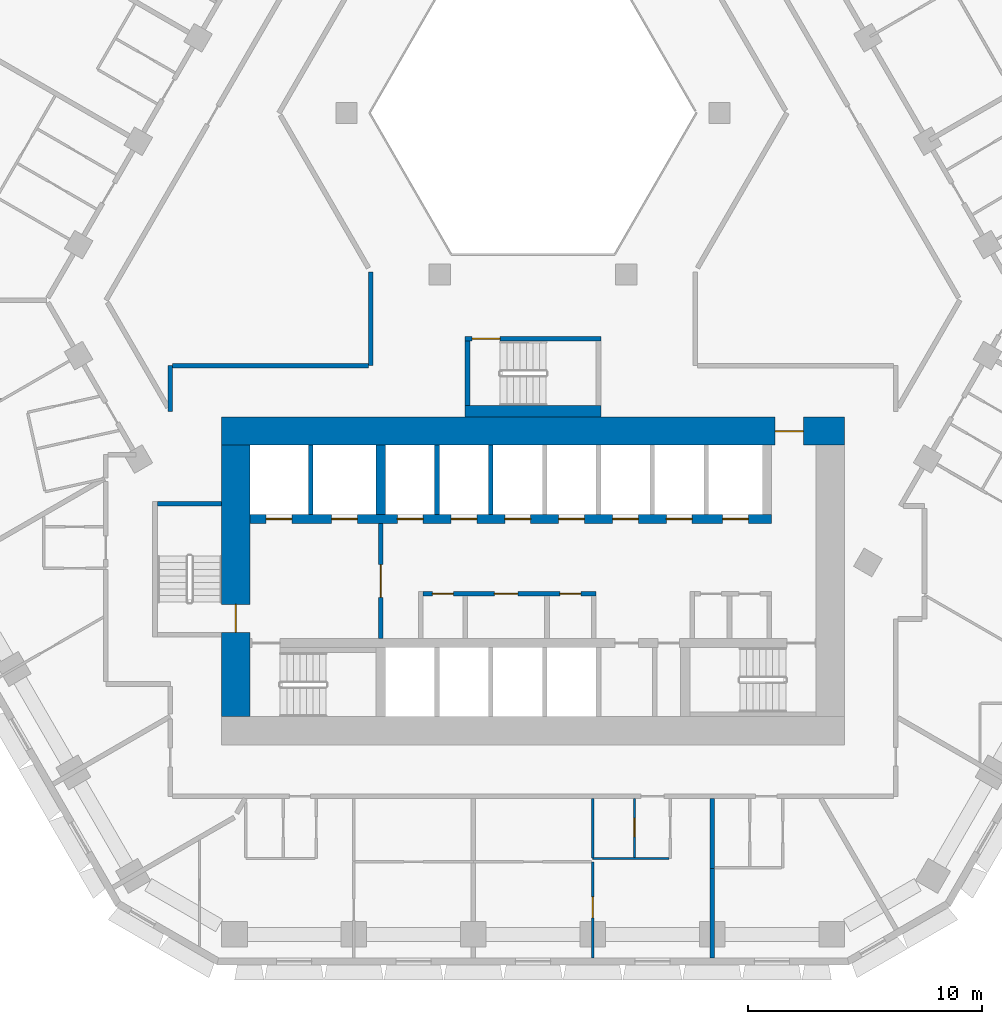
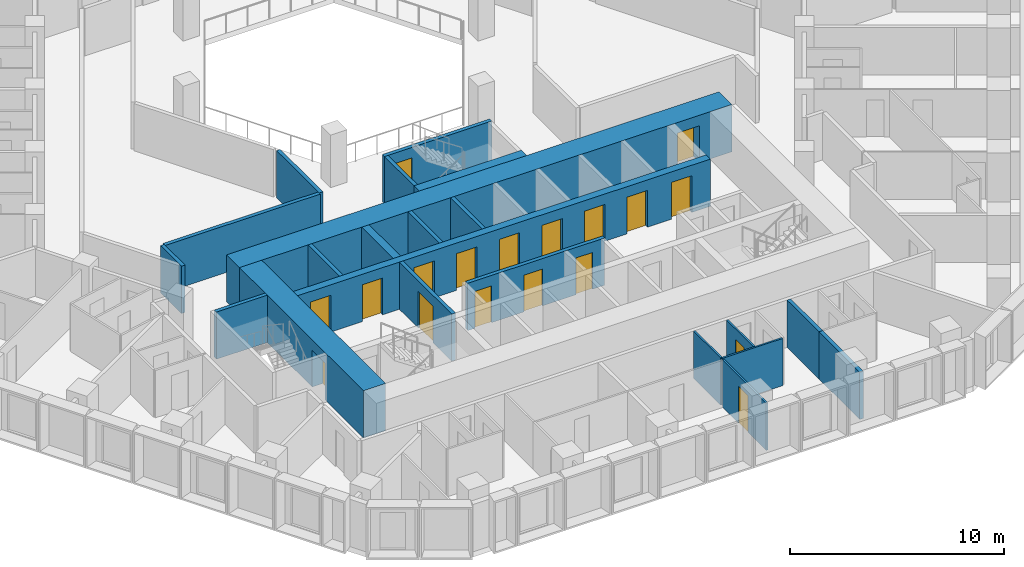
# One storey, part 5 of 16: 22 walls, 18 doors, 18 openings.
"""IFC4 building model written with IfcOpenShell, lengths in metres."""

from ifc_helpers import new_model, si_unit, direction, frame, frame_2d, origin, place, context, subcontext, project, spatial, rectangle, extrude, material, layer, layer_set, type_object, element, fill, save


model = new_model("IFC4")

# Units and contexts
model_context = context("Model", 3, precision=1e-05, world=origin(), true_north=direction((0.0, 1.0)))
body_context = subcontext(model_context, "Body", "Model", "MODEL_VIEW")
ifc_project = project(units=[si_unit("LENGTHUNIT", "METRE"), si_unit("AREAUNIT", "SQUARE_METRE"), si_unit("VOLUMEUNIT", "CUBIC_METRE"), si_unit("PLANEANGLEUNIT", "RADIAN"), si_unit("MASSUNIT", "GRAM", prefix="KILO")], contexts=[model_context])

# Site, building, storey
site_placement = place(None, origin())
site = spatial("IfcSite", under=ifc_project, at=site_placement, CompositionType="ELEMENT")
building_placement = place(site_placement, origin())
building = spatial("IfcBuilding", under=site, at=building_placement, Name="Beryl Residences", CompositionType="ELEMENT")
storey_placement = place(building_placement, frame((0.0, 0.0, 56.39990234375)))
storey = spatial("IfcBuildingStorey", under=building, at=storey_placement, Name="L17", CompositionType="ELEMENT", Elevation=56.39990234375)

# Walls
ifc_material_1 = material(Name="Gypsum board partition on steel studs", Category="steel")
ifc_layer_1 = layer(ifc_material_1, 0.10009765625)
ifc_layer_set_1 = layer_set([ifc_layer_1], Name="PT1 partition 100 mm gypsum board on steel studs")
wall_type_1 = type_object("IfcWallType", Name="PT1 partition 100 mm gypsum board on steel studs", PredefinedType="PARTITIONING", material=ifc_layer_set_1)
wall_1_placement = place(storey_placement, frame((2.552978515625, -21.300048828125, 0.0), z_axis=(0.0, 0.0, 1.0), x_axis=(0.0, -1.0, 0.0)))
element("IfcWall", 1, at=wall_1_placement, inside=storey, type_object=wall_type_1, Name="Wall PT1 L17 010", PredefinedType="PARTITIONING", context=body_context, shape_type="SweptSolid", body=[
    extrude(rectangle(XDim=2.530029296875, YDim=0.10009765625, at=frame_2d((1.26513671875, 0.0))), origin(), (0.0, 0.0, 1.0), 2.7001953125),
])
wall_2_placement = place(storey_placement, frame((2.552978515625, -23.860107421875, 0.0), z_axis=(0.0, 0.0, 1.0), x_axis=(1.0, 0.0, 0.0)))
element("IfcWall", 2, at=wall_2_placement, inside=storey, type_object=wall_type_1, Name="Wall PT1 L17 029", PredefinedType="PARTITIONING", context=body_context, shape_type="SweptSolid", body=[
    extrude(rectangle(XDim=3.26708984375, YDim=0.10009765625, at=frame_2d((1.633544921875, 0.0))), origin(), (0.0, 0.0, 1.0), 2.7001953125),
])

# Wall, opening, door
wall_3_placement = place(storey_placement, frame((4.339111328125, -23.81005859375, 0.0), z_axis=(0.0, 0.0, 1.0), x_axis=(0.0, 1.0, 0.0)))
wall_3 = element("IfcWall", 3, at=wall_3_placement, inside=storey, type_object=wall_type_1, Name="Wall PT1 L17 041", PredefinedType="PARTITIONING", context=body_context, shape_type="SweptSolid", body=[
    extrude(rectangle(XDim=2.510009765625, YDim=0.10009765625, at=frame_2d((1.2548828125, 0.0))), origin(), (0.0, 0.0, 1.0), 2.7001953125),
])
opening_1_placement = place(wall_3_placement, frame((0.8798828125, 0.0, 0.0)))
opening_1 = element("IfcOpeningElement", 4, at=opening_1_placement, cuts=wall_3, Name="Opening D0529", PredefinedType="OPENING", context=body_context, shape_type="SweptSolid", body=[
    extrude(rectangle(XDim=0.800048828125, YDim=2.10009765625, at=frame_2d((0.39990234375, 1.050048828125))), frame((0.0, 0.06005859375, 0.0), z_axis=(0.0, -1.0, 0.0), x_axis=(1.0, 0.0, 0.0)), (0.0, 0.0, 1.0), 0.1201171875),
])
ifc_material_2 = material(Name="Timber door leaf", Category="wood")
door_type_1 = type_object("IfcDoorType", Name="D3 bathroom door 800 x 2100 mm", OperationType="SINGLE_SWING_LEFT", PredefinedType="DOOR", material=ifc_material_2)
door_1_placement = place(opening_1_placement, origin())
door_1 = element("IfcDoor", 5, at=door_1_placement, inside=storey, type_object=door_type_1, Name="Door D0529 L17 001", OperationType="SINGLE_SWING_LEFT", OverallHeight=2.10009765625, OverallWidth=0.800048828125, PredefinedType="DOOR", context=body_context, shape_type="SweptSolid", body=[
    extrude(rectangle(XDim=0.800048828125, YDim=2.10009765625, at=frame_2d((0.39990234375, 1.050048828125))), frame((0.0, 0.02490234375, 0.0), z_axis=(0.0, -1.0, 0.0), x_axis=(1.0, 0.0, 0.0)), (0.0, 0.0, 1.0), 0.050048828125),
])
fill(opening_1, door_1)

wall_4_placement = place(storey_placement, frame((2.552978515625, -28.10009765625, 0.0), z_axis=(0.0, 0.0, 1.0), x_axis=(0.0, 1.0, 0.0)))
wall_4 = element("IfcWall", 6, at=wall_4_placement, inside=storey, type_object=wall_type_1, Name="Wall PT1 L17 048", PredefinedType="PARTITIONING", context=body_context, shape_type="SweptSolid", body=[
    extrude(rectangle(XDim=4.10009765625, YDim=0.10009765625, at=frame_2d((2.050048828125, 0.0))), origin(), (0.0, 0.0, 1.0), 2.7001953125),
])
opening_2_placement = place(wall_4_placement, frame((1.699951171875, 0.0, 0.0)))
opening_2 = element("IfcOpeningElement", 7, at=opening_2_placement, cuts=wall_4, Name="Opening D0530", PredefinedType="OPENING", context=body_context, shape_type="SweptSolid", body=[
    extrude(rectangle(XDim=0.89990234375, YDim=2.10009765625, at=frame_2d((0.449951171875, 1.050048828125))), frame((0.0, 0.06005859375, 0.0), z_axis=(0.0, -1.0, 0.0), x_axis=(1.0, 0.0, 0.0)), (0.0, 0.0, 1.0), 0.1201171875),
])
ifc_material_3 = material(Name="Timber door leaf", Category="wood")
door_type_2 = type_object("IfcDoorType", Name="D2 room door 900 x 2100 mm", OperationType="SINGLE_SWING_LEFT", PredefinedType="DOOR", material=ifc_material_3)
door_2_placement = place(opening_2_placement, origin())
door_2 = element("IfcDoor", 8, at=door_2_placement, inside=storey, type_object=door_type_2, Name="Door D0530 L17 001", OperationType="SINGLE_SWING_RIGHT", OverallHeight=2.10009765625, OverallWidth=0.89990234375, PredefinedType="DOOR", context=body_context, shape_type="SweptSolid", body=[
    extrude(rectangle(XDim=0.89990234375, YDim=2.10009765625, at=frame_2d((0.449951171875, 1.050048828125))), frame((0.0, 0.02490234375, 0.0), z_axis=(0.0, -1.0, 0.0), x_axis=(1.0, 0.0, 0.0)), (0.0, 0.0, 1.0), 0.050048828125),
])
fill(opening_2, door_2)

ifc_material_4 = material(Name="Concrete masonry", Category="masonry")
ifc_layer_2 = layer(ifc_material_4, 0.199951171875)
ifc_layer_set_2 = layer_set([ifc_layer_2], Name="PT13 lobby wall 200 mm")
wall_type_2 = type_object("IfcWallType", Name="PT13 lobby wall 200 mm", PredefinedType="PARTITIONING", material=ifc_layer_set_2)
wall_5_placement = place(storey_placement, frame((-6.5, -14.449951171875, 0.0), z_axis=(0.0, 0.0, 1.0), x_axis=(0.0, 1.0, 0.0)))
wall_5 = element("IfcWall", 9, at=wall_5_placement, inside=storey, type_object=wall_type_2, Name="Lobby wall 06", PredefinedType="PARTITIONING", context=body_context, shape_type="SweptSolid", body=[
    extrude(rectangle(XDim=4.89990234375, YDim=0.199951171875, at=frame_2d((2.449951171875, 0.0))), origin(), (0.0, 0.0, 1.0), 2.7001953125),
])
opening_3_placement = place(wall_5_placement, frame((3.14990234375, 0.0, 0.0), z_axis=(0.0, 0.0, 1.0), x_axis=(-1.0, 0.0, 0.0)))
opening_3 = element("IfcOpeningElement", 10, at=opening_3_placement, cuts=wall_5, Name="Opening FD-FFL", PredefinedType="OPENING", context=body_context, shape_type="SweptSolid", body=[
    extrude(rectangle(XDim=1.39990234375, YDim=2.10009765625, at=frame_2d((0.699951171875, 1.050048828125))), frame((0.0, 0.10986328125, 0.0), z_axis=(0.0, -1.0, 0.0), x_axis=(1.0, 0.0, 0.0)), (0.0, 0.0, 1.0), 0.219970703125),
])
ifc_material_5 = material(Name="Steel door leaf in steel frame", Category="steel")
door_type_3 = type_object("IfcDoorType", Name="D5 lobby door 1400 x 2100 mm", OperationType="DOUBLE_DOOR_SINGLE_SWING", PredefinedType="DOOR", material=ifc_material_5)
door_3_placement = place(opening_3_placement, origin())
door_3 = element("IfcDoor", 11, at=door_3_placement, inside=storey, type_object=door_type_3, Name="Door FD-FFL L17 001", OperationType="DOUBLE_DOOR_SINGLE_SWING", OverallHeight=2.10009765625, OverallWidth=1.39990234375, PredefinedType="DOOR", context=body_context, shape_type="SweptSolid", body=[
    extrude(rectangle(XDim=1.39990234375, YDim=2.10009765625, at=frame_2d((0.699951171875, 1.050048828125))), frame((0.0, 0.02490234375, 0.0), z_axis=(0.0, -1.0, 0.0), x_axis=(1.0, 0.0, 0.0)), (0.0, 0.0, 1.0), 0.050048828125),
])
fill(opening_3, door_3)

# Wall, openings, doors
wall_6_placement = place(storey_placement, frame((-4.699951171875, -12.550048828125, 0.0), z_axis=(0.0, 0.0, 1.0), x_axis=(1.0, 0.0, 0.0)))
wall_6 = element("IfcWall", 12, at=wall_6_placement, inside=storey, type_object=wall_type_2, Name="Lobby wall 08", PredefinedType="PARTITIONING", context=body_context, shape_type="SweptSolid", body=[
    extrude(rectangle(XDim=7.39990234375, YDim=0.199951171875, at=frame_2d((3.699951171875, 0.0))), origin(), (0.0, 0.0, 1.0), 2.7001953125),
])
opening_4_placement = place(wall_6_placement, frame((1.2998046875, 0.0, 0.0), z_axis=(0.0, 0.0, 1.0), x_axis=(-1.0, 0.0, 0.0)))
opening_4 = element("IfcOpeningElement", 13, at=opening_4_placement, cuts=wall_6, Name="Opening CD-D-A1-900", PredefinedType="OPENING", context=body_context, shape_type="SweptSolid", body=[
    extrude(rectangle(XDim=0.89990234375, YDim=2.10009765625, at=frame_2d((0.449951171875, 1.050048828125))), frame((0.0, 0.10986328125, 0.0), z_axis=(0.0, -1.0, 0.0), x_axis=(1.0, 0.0, 0.0)), (0.0, 0.0, 1.0), 0.219970703125),
])
opening_5_placement = place(wall_6_placement, frame((4.050048828125, 0.0, 0.0), z_axis=(0.0, 0.0, 1.0), x_axis=(-1.0, 0.0, 0.0)))
opening_5 = element("IfcOpeningElement", 14, at=opening_5_placement, cuts=wall_6, Name="Opening CD-D-A2", PredefinedType="OPENING", context=body_context, shape_type="SweptSolid", body=[
    extrude(rectangle(XDim=1.0, YDim=2.10009765625, at=frame_2d((0.5, 1.050048828125))), frame((0.0, 0.10986328125, 0.0), z_axis=(0.0, -1.0, 0.0), x_axis=(1.0, 0.0, 0.0)), (0.0, 0.0, 1.0), 0.219970703125),
])
opening_6_placement = place(wall_6_placement, frame((6.75, 0.0, 0.0), z_axis=(0.0, 0.0, 1.0), x_axis=(-1.0, 0.0, 0.0)))
opening_6 = element("IfcOpeningElement", 15, at=opening_6_placement, cuts=wall_6, Name="Opening CD-D-A3-900", PredefinedType="OPENING", context=body_context, shape_type="SweptSolid", body=[
    extrude(rectangle(XDim=0.89990234375, YDim=2.10009765625, at=frame_2d((0.449951171875, 1.050048828125))), frame((0.0, 0.10986328125, 0.0), z_axis=(0.0, -1.0, 0.0), x_axis=(1.0, 0.0, 0.0)), (0.0, 0.0, 1.0), 0.219970703125),
])
ifc_material_6 = material(Name="Steel door leaf in steel frame", Category="steel")
door_type_4 = type_object("IfcDoorType", Name="D18 service room door 1000 x 2100 mm", OperationType="SINGLE_SWING_LEFT", PredefinedType="DOOR", material=ifc_material_6)
door_4_placement = place(opening_5_placement, origin())
door_4 = element("IfcDoor", 16, at=door_4_placement, inside=storey, type_object=door_type_4, Name="Door CD-D-A2 L17 001", OperationType="SINGLE_SWING_LEFT", OverallHeight=2.10009765625, OverallWidth=1.0, PredefinedType="DOOR", context=body_context, shape_type="SweptSolid", body=[
    extrude(rectangle(XDim=1.0, YDim=2.10009765625, at=frame_2d((0.5, 1.050048828125))), frame((0.0, 0.02490234375, 0.0), z_axis=(0.0, -1.0, 0.0), x_axis=(1.0, 0.0, 0.0)), (0.0, 0.0, 1.0), 0.050048828125),
])
fill(opening_5, door_4)
ifc_material_7 = material(Name="Steel door leaf in steel frame", Category="steel")
door_type_5 = type_object("IfcDoorType", Name="D6 service room door 900 x 2100 mm", OperationType="SINGLE_SWING_LEFT", PredefinedType="DOOR", material=ifc_material_7)
door_5_placement = place(opening_4_placement, origin())
door_5 = element("IfcDoor", 17, at=door_5_placement, inside=storey, type_object=door_type_5, Name="Door CD-D-A1-900 L17 001", OperationType="SINGLE_SWING_RIGHT", OverallHeight=2.10009765625, OverallWidth=0.89990234375, PredefinedType="DOOR", context=body_context, shape_type="SweptSolid", body=[
    extrude(rectangle(XDim=0.89990234375, YDim=2.10009765625, at=frame_2d((0.449951171875, 1.050048828125))), frame((0.0, 0.02490234375, 0.0), z_axis=(0.0, -1.0, 0.0), x_axis=(1.0, 0.0, 0.0)), (0.0, 0.0, 1.0), 0.050048828125),
])
fill(opening_4, door_5)
door_6_placement = place(opening_6_placement, origin())
door_6 = element("IfcDoor", 18, at=door_6_placement, inside=storey, type_object=door_type_5, Name="Door CD-D-A3-900 L17 001", OperationType="SINGLE_SWING_RIGHT", OverallHeight=2.10009765625, OverallWidth=0.89990234375, PredefinedType="DOOR", context=body_context, shape_type="SweptSolid", body=[
    extrude(rectangle(XDim=0.89990234375, YDim=2.10009765625, at=frame_2d((0.449951171875, 1.050048828125))), frame((0.0, 0.02490234375, 0.0), z_axis=(0.0, -1.0, 0.0), x_axis=(1.0, 0.0, 0.0)), (0.0, 0.0, 1.0), 0.050048828125),
])
fill(opening_6, door_6)

# Walls
ifc_material_8 = material(Name="Acoustic double stud gypsum board wall")
ifc_layer_3 = layer(ifc_material_8, 0.199951171875)
ifc_layer_set_3 = layer_set([ifc_layer_3], Name="PT3 party wall 200 mm acoustic double stud")
wall_type_3 = type_object("IfcWallType", Name="PT3 party wall 200 mm acoustic double stud", PredefinedType="PARTITIONING", material=ifc_layer_set_3)
wall_7_placement = place(storey_placement, frame((7.656982421875, -21.300048828125, 0.0), z_axis=(0.0, 0.0, 1.0), x_axis=(0.0, -1.0, 0.0)))
element("IfcWall", 19, at=wall_7_placement, inside=storey, type_object=wall_type_3, Name="Wall PT3 L17 003", PredefinedType="PARTITIONING", context=body_context, shape_type="SweptSolid", body=[
    extrude(rectangle(XDim=2.97998046875, YDim=0.199951171875, at=frame_2d((1.489990234375, 0.0))), origin(), (0.0, 0.0, 1.0), 2.7001953125),
])
wall_8_placement = place(storey_placement, frame((7.656982421875, -28.10009765625, 0.0), z_axis=(0.0, 0.0, 1.0), x_axis=(0.0, 1.0, 0.0)))
element("IfcWall", 20, at=wall_8_placement, inside=storey, type_object=wall_type_3, Name="Wall PT3 L17 013", PredefinedType="PARTITIONING", context=body_context, shape_type="SweptSolid", body=[
    extrude(rectangle(XDim=3.860107421875, YDim=0.199951171875, at=frame_2d((1.93017578125, 0.0))), origin(), (0.0, 0.0, 1.0), 2.7001953125),
])
ifc_material_9 = material(Name="Double stud gypsum board wall")
ifc_layer_4 = layer(ifc_material_9, 0.199951171875)
ifc_layer_set_4 = layer_set([ifc_layer_4], Name="PT4 corridor wall 200 mm double stud")
wall_type_4 = type_object("IfcWallType", Name="PT4 corridor wall 200 mm double stud", PredefinedType="PARTITIONING", material=ifc_layer_set_4)
wall_9_placement = place(storey_placement, frame((-15.39990234375, -2.800048828125, 0.0), z_axis=(0.0, 0.0, 1.0), x_axis=(1.0, 0.0, 0.0)))
element("IfcWall", 21, at=wall_9_placement, inside=storey, type_object=wall_type_4, Name="Wall PT4 L17 015", PredefinedType="PARTITIONING", context=body_context, shape_type="SweptSolid", body=[
    extrude(rectangle(XDim=8.371826171875, YDim=0.199951171875, at=frame_2d((4.18603515625, 0.0))), origin(), (0.0, 0.0, 1.0), 2.7001953125),
])
wall_10_placement = place(storey_placement, frame((-6.927978515625, -2.800048828125, 0.0), z_axis=(0.0, 0.0, 1.0), x_axis=(0.0, 1.0, 0.0)))
element("IfcWall", 22, at=wall_10_placement, inside=storey, type_object=wall_type_4, Name="Wall PT4 L17 030", PredefinedType="PARTITIONING", context=body_context, shape_type="SweptSolid", body=[
    extrude(rectangle(XDim=4.0, YDim=0.199951171875, at=frame_2d((2.0, 0.0))), origin(), (0.0, 0.0, 1.0), 2.7001953125),
])
wall_11_placement = place(storey_placement, frame((-15.5, -4.75390625, 0.0), z_axis=(0.0, 0.0, 1.0), x_axis=(0.0, 1.0, 0.0)))
element("IfcWall", 23, at=wall_11_placement, inside=storey, type_object=wall_type_4, Name="Wall PT4 L17 032", PredefinedType="PARTITIONING", context=body_context, shape_type="SweptSolid", body=[
    extrude(rectangle(XDim=1.953857421875, YDim=0.199951171875, at=frame_2d((0.97705078125, 0.0))), origin(), (0.0, 0.0, 1.0), 2.7001953125),
])

# Wall, opening, door
ifc_material_10 = material(Name="Concrete C40/50", Category="concrete")
ifc_layer_5 = layer(ifc_material_10, 0.199951171875)
ifc_layer_set_5 = layer_set([ifc_layer_5], Name="PT5 stair enclosure wall 200 mm reinforced concrete C40/50")
wall_type_5 = type_object("IfcWallType", Name="PT5 stair enclosure wall 200 mm reinforced concrete C40/50", PredefinedType="SOLIDWALL", material=ifc_layer_set_5)
wall_12_placement = place(storey_placement, frame((-2.89990234375, -1.64990234375, 0.0), z_axis=(0.0, 0.0, 1.0), x_axis=(1.0, 0.0, 0.0)))
wall_12 = element("IfcWall", 24, at=wall_12_placement, inside=storey, type_object=wall_type_5, Name="Wall PT5 L17 001", PredefinedType="SOLIDWALL", context=body_context, shape_type="SweptSolid", body=[
    extrude(rectangle(XDim=5.7998046875, YDim=0.199951171875, at=frame_2d((2.89990234375, 0.0))), origin(), (0.0, 0.0, 1.0), 2.7001953125),
])
opening_7_placement = place(wall_12_placement, frame((0.300048828125, 0.0, 0.0)))
opening_7 = element("IfcOpeningElement", 25, at=opening_7_placement, cuts=wall_12, Name="Opening DS04", PredefinedType="OPENING", context=body_context, shape_type="SweptSolid", body=[
    extrude(rectangle(XDim=1.199951171875, YDim=2.10009765625, at=frame_2d((0.60009765625, 1.050048828125))), frame((0.0, 0.10986328125, 0.0), z_axis=(0.0, -1.0, 0.0), x_axis=(1.0, 0.0, 0.0)), (0.0, 0.0, 1.0), 0.219970703125),
])
ifc_material_11 = material(Name="Steel door leaf in steel frame", Category="steel")
door_type_6 = type_object("IfcDoorType", Name="D4 stair door 1200 x 2100 mm", OperationType="SINGLE_SWING_LEFT", PredefinedType="DOOR", material=ifc_material_11)
door_7_placement = place(opening_7_placement, origin())
door_7 = element("IfcDoor", 26, at=door_7_placement, inside=storey, type_object=door_type_6, Name="Door DS04 L17 001", OperationType="SINGLE_SWING_LEFT", OverallHeight=2.10009765625, OverallWidth=1.199951171875, PredefinedType="DOOR", context=body_context, shape_type="SweptSolid", body=[
    extrude(rectangle(XDim=1.199951171875, YDim=2.10009765625, at=frame_2d((0.60009765625, 1.050048828125))), frame((0.0, 0.02490234375, 0.0), z_axis=(0.0, -1.0, 0.0), x_axis=(1.0, 0.0, 0.0)), (0.0, 0.0, 1.0), 0.050048828125),
])
fill(opening_7, door_7)

# Walls
for number, where, z_axis, x_axis, name in (
    (27, (-2.800048828125, -4.5, 0.0), (0.0, 0.0, 1.0), (0.0, 1.0, 0.0), "Wall PT5 L17 002"),
    (28, (-16.050048828125, -8.699951171875, 0.0), (0.0, 0.0, 1.0), (1.0, 0.0, 0.0), "Stair wall 03"),
):
    element("IfcWall", number, at=place(storey_placement, frame(where, z_axis=z_axis, x_axis=x_axis)), inside=storey, type_object=wall_type_5, Name=name, PredefinedType="SOLIDWALL", context=body_context, shape_type="SweptSolid", body=[
        extrude(rectangle(XDim=2.75, YDim=0.199951171875, at=frame_2d((1.375, 0.0))), origin(), (0.0, 0.0, 1.0), 2.7001953125),
    ])
ifc_material_12 = material(Name="Concrete C40/50", Category="concrete")
ifc_layer_6 = layer(ifc_material_12, 0.5)
ifc_layer_set_6 = layer_set([ifc_layer_6], Name="PT5-500 stair enclosure wall 500 mm")
wall_type_6 = type_object("IfcWallType", Name="PT5-500 stair enclosure wall 500 mm", PredefinedType="SOLIDWALL", material=ifc_layer_set_6)
wall_13_placement = place(storey_placement, frame((-2.89990234375, -4.75, 0.0), z_axis=(0.0, 0.0, 1.0), x_axis=(1.0, 0.0, 0.0)))
element("IfcWall", 29, at=wall_13_placement, inside=storey, type_object=wall_type_6, Name="Wall PT5-500 L17 001", PredefinedType="SOLIDWALL", context=body_context, shape_type="SweptSolid", body=[
    extrude(rectangle(XDim=5.7998046875, YDim=0.5, at=frame_2d((2.89990234375, 0.0))), origin(), (0.0, 0.0, 1.0), 2.7001953125),
])
ifc_material_13 = material(Name="Concrete C40/50", Category="concrete")
ifc_layer_7 = layer(ifc_material_13, 0.199951171875)
ifc_layer_set_7 = layer_set([ifc_layer_7], Name="PT6 lift shaft wall 200 mm reinforced concrete C40/50")
wall_type_7 = type_object("IfcWallType", Name="PT6 lift shaft wall 200 mm reinforced concrete C40/50", PredefinedType="SOLIDWALL", material=ifc_layer_set_7)
for number, where, z_axis, x_axis, name in (
    (30, (-9.5, -9.14990234375, 0.0), (0.0, 0.0, 1.0), (0.0, 1.0, 0.0), "Lift shaft wall 05"),
    (31, (-4.10009765625, -9.14990234375, 0.0), (0.0, 0.0, 1.0), (0.0, 1.0, 0.0), "Lift shaft wall 10"),
    (32, (-1.800048828125, -9.14990234375, 0.0), (0.0, 0.0, 1.0), (0.0, 1.0, 0.0), "Lift shaft wall 13"),
):
    element("IfcWall", number, at=place(storey_placement, frame(where, z_axis=z_axis, x_axis=x_axis)), inside=storey, type_object=wall_type_7, Name=name, PredefinedType="SOLIDWALL", context=body_context, shape_type="SweptSolid", body=[
        extrude(rectangle(XDim=2.949951171875, YDim=0.199951171875, at=frame_2d((1.47509765625, 0.0))), origin(), (0.0, 0.0, 1.0), 2.7001953125),
    ])

# Wall, opening, door
ifc_material_14 = material(Name="Concrete C80/95", Category="concrete")
ifc_layer_8 = layer(ifc_material_14, 1.199951171875)
ifc_layer_set_8 = layer_set([ifc_layer_8], Name="SW1 core outer wall 1200 mm C80/95")
wall_type_8 = type_object("IfcWallType", Name="SW1 core outer wall 1200 mm C80/95", PredefinedType="SHEAR", material=ifc_layer_set_8)
wall_14_placement = place(storey_placement, frame((-13.300048828125, -5.60009765625, 0.0), z_axis=(0.0, 0.0, 1.0), x_axis=(1.0, 0.0, 0.0)))
wall_14 = element("IfcWall", 33, at=wall_14_placement, inside=storey, type_object=wall_type_8, Name="Core wall N L17", PredefinedType="SHEAR", context=body_context, shape_type="SweptSolid", body=[
    extrude(rectangle(XDim=26.60009765625, YDim=1.199951171875, at=frame_2d((13.300048828125, 0.0))), origin(), (0.0, 0.0, 1.0), 2.7001953125),
])
opening_8_placement = place(wall_14_placement, frame((23.64990234375, 0.0, 0.0)))
opening_8 = element("IfcOpeningElement", 34, at=opening_8_placement, cuts=wall_14, Name="Opening FD-NORTH", PredefinedType="OPENING", context=body_context, shape_type="SweptSolid", body=[
    extrude(rectangle(XDim=1.199951171875, YDim=2.10009765625, at=frame_2d((0.60009765625, 1.050048828125))), frame((0.0, 0.60986328125, 0.0), z_axis=(0.0, -1.0, 0.0), x_axis=(1.0, 0.0, 0.0)), (0.0, 0.0, 1.0), 1.219970703125),
])
ifc_material_15 = material(Name="Steel door leaf in steel frame", Category="steel")
door_type_7 = type_object("IfcDoorType", Name="D22 lobby door 1200 x 2100 mm", OperationType="DOUBLE_DOOR_SINGLE_SWING", PredefinedType="DOOR", material=ifc_material_15)
door_8_placement = place(opening_8_placement, origin())
door_8 = element("IfcDoor", 35, at=door_8_placement, inside=storey, type_object=door_type_7, Name="Door FD-NORTH L17 001", OperationType="DOUBLE_DOOR_SINGLE_SWING", OverallHeight=2.10009765625, OverallWidth=1.199951171875, PredefinedType="DOOR", context=body_context, shape_type="SweptSolid", body=[
    extrude(rectangle(XDim=1.199951171875, YDim=2.10009765625, at=frame_2d((0.60009765625, 1.050048828125))), frame((0.0, 0.02490234375, 0.0), z_axis=(0.0, -1.0, 0.0), x_axis=(1.0, 0.0, 0.0)), (0.0, 0.0, 1.0), 0.050048828125),
])
fill(opening_8, door_8)

wall_15_placement = place(storey_placement, frame((-12.699951171875, -17.800048828125, 0.0), z_axis=(0.0, 0.0, 1.0), x_axis=(0.0, 1.0, 0.0)))
wall_15 = element("IfcWall", 36, at=wall_15_placement, inside=storey, type_object=wall_type_8, Name="Core wall W L17", PredefinedType="SHEAR", context=body_context, shape_type="SweptSolid", body=[
    extrude(rectangle(XDim=11.60009765625, YDim=1.199951171875, at=frame_2d((5.800048828125, 0.0))), origin(), (0.0, 0.0, 1.0), 2.7001953125),
])
opening_9_placement = place(wall_15_placement, frame((3.60009765625, 0.0, 0.0)))
opening_9 = element("IfcOpeningElement", 37, at=opening_9_placement, cuts=wall_15, Name="Opening SD-2", PredefinedType="OPENING", context=body_context, shape_type="SweptSolid", body=[
    extrude(rectangle(XDim=1.199951171875, YDim=2.10009765625, at=frame_2d((0.60009765625, 1.050048828125))), frame((0.0, 0.60986328125, 0.0), z_axis=(0.0, -1.0, 0.0), x_axis=(1.0, 0.0, 0.0)), (0.0, 0.0, 1.0), 1.219970703125),
])
door_9_placement = place(opening_9_placement, origin())
door_9 = element("IfcDoor", 38, at=door_9_placement, inside=storey, type_object=door_type_6, Name="Door SD-2 L17 001", OperationType="SINGLE_SWING_RIGHT", OverallHeight=2.10009765625, OverallWidth=1.199951171875, PredefinedType="DOOR", context=body_context, shape_type="SweptSolid", body=[
    extrude(rectangle(XDim=1.199951171875, YDim=2.10009765625, at=frame_2d((0.60009765625, 1.050048828125))), frame((0.0, 0.02490234375, 0.0), z_axis=(0.0, -1.0, 0.0), x_axis=(1.0, 0.0, 0.0)), (0.0, 0.0, 1.0), 0.050048828125),
])
fill(opening_9, door_9)

# Wall, openings, doors
ifc_material_16 = material(Name="Concrete C80/95", Category="concrete")
ifc_layer_9 = layer(ifc_material_16, 0.39990234375)
ifc_layer_set_9 = layer_set([ifc_layer_9], Name="SW6 core internal wall 400 mm C80/95")
wall_type_9 = type_object("IfcWallType", Name="SW6 core internal wall 400 mm C80/95", PredefinedType="SHEAR", material=ifc_layer_set_9)
wall_16_placement = place(storey_placement, frame((-12.10009765625, -9.35009765625, 0.0), z_axis=(0.0, 0.0, 1.0), x_axis=(1.0, 0.0, 0.0)))
wall_16 = element("IfcWall", 39, at=wall_16_placement, inside=storey, type_object=wall_type_9, Name="Core wall SP2 L17", PredefinedType="SHEAR", context=body_context, shape_type="SweptSolid", body=[
    extrude(rectangle(XDim=22.300048828125, YDim=0.39990234375, at=frame_2d((11.14990234375, 0.0))), origin(), (0.0, 0.0, 1.0), 2.7001953125),
])
opening_10_placement = place(wall_16_placement, frame((0.699951171875, 0.0, 0.0)))
opening_10 = element("IfcOpeningElement", 40, at=opening_10_placement, cuts=wall_16, Name="Opening LD-FF1", PredefinedType="OPENING", context=body_context, shape_type="SweptSolid", body=[
    extrude(rectangle(XDim=1.10009765625, YDim=2.10009765625, at=frame_2d((0.550048828125, 1.050048828125))), frame((0.0, 0.2099609375, 0.0), z_axis=(0.0, -1.0, 0.0), x_axis=(1.0, 0.0, 0.0)), (0.0, 0.0, 1.0), 0.419921875),
])
opening_11_placement = place(wall_16_placement, frame((3.5, 0.0, 0.0)))
opening_11 = element("IfcOpeningElement", 41, at=opening_11_placement, cuts=wall_16, Name="Opening LD-FF2", PredefinedType="OPENING", context=body_context, shape_type="SweptSolid", body=[
    extrude(rectangle(XDim=1.10009765625, YDim=2.10009765625, at=frame_2d((0.550048828125, 1.050048828125))), frame((0.0, 0.2099609375, 0.0), z_axis=(0.0, -1.0, 0.0), x_axis=(1.0, 0.0, 0.0)), (0.0, 0.0, 1.0), 0.419921875),
])
opening_12_placement = place(wall_16_placement, frame((6.300048828125, 0.0, 0.0)))
opening_12 = element("IfcOpeningElement", 42, at=opening_12_placement, cuts=wall_16, Name="Opening LD-LR1", PredefinedType="OPENING", context=body_context, shape_type="SweptSolid", body=[
    extrude(rectangle(XDim=1.10009765625, YDim=2.10009765625, at=frame_2d((0.550048828125, 1.050048828125))), frame((0.0, 0.2099609375, 0.0), z_axis=(0.0, -1.0, 0.0), x_axis=(1.0, 0.0, 0.0)), (0.0, 0.0, 1.0), 0.419921875),
])
opening_13_placement = place(wall_16_placement, frame((8.60009765625, 0.0, 0.0)))
opening_13 = element("IfcOpeningElement", 43, at=opening_13_placement, cuts=wall_16, Name="Opening LD-LR2", PredefinedType="OPENING", context=body_context, shape_type="SweptSolid", body=[
    extrude(rectangle(XDim=1.10009765625, YDim=2.10009765625, at=frame_2d((0.550048828125, 1.050048828125))), frame((0.0, 0.2099609375, 0.0), z_axis=(0.0, -1.0, 0.0), x_axis=(1.0, 0.0, 0.0)), (0.0, 0.0, 1.0), 0.419921875),
])
opening_14_placement = place(wall_16_placement, frame((10.89990234375, 0.0, 0.0)))
opening_14 = element("IfcOpeningElement", 44, at=opening_14_placement, cuts=wall_16, Name="Opening LD-LR3", PredefinedType="OPENING", context=body_context, shape_type="SweptSolid", body=[
    extrude(rectangle(XDim=1.10009765625, YDim=2.10009765625, at=frame_2d((0.550048828125, 1.050048828125))), frame((0.0, 0.2099609375, 0.0), z_axis=(0.0, -1.0, 0.0), x_axis=(1.0, 0.0, 0.0)), (0.0, 0.0, 1.0), 0.419921875),
])
opening_15_placement = place(wall_16_placement, frame((13.199951171875, 0.0, 0.0)))
opening_15 = element("IfcOpeningElement", 45, at=opening_15_placement, cuts=wall_16, Name="Opening LD-LR4", PredefinedType="OPENING", context=body_context, shape_type="SweptSolid", body=[
    extrude(rectangle(XDim=1.10009765625, YDim=2.10009765625, at=frame_2d((0.550048828125, 1.050048828125))), frame((0.0, 0.2099609375, 0.0), z_axis=(0.0, -1.0, 0.0), x_axis=(1.0, 0.0, 0.0)), (0.0, 0.0, 1.0), 0.419921875),
])
opening_16_placement = place(wall_16_placement, frame((15.5, 0.0, 0.0)))
opening_16 = element("IfcOpeningElement", 46, at=opening_16_placement, cuts=wall_16, Name="Opening LD-LR5", PredefinedType="OPENING", context=body_context, shape_type="SweptSolid", body=[
    extrude(rectangle(XDim=1.10009765625, YDim=2.10009765625, at=frame_2d((0.550048828125, 1.050048828125))), frame((0.0, 0.2099609375, 0.0), z_axis=(0.0, -1.0, 0.0), x_axis=(1.0, 0.0, 0.0)), (0.0, 0.0, 1.0), 0.419921875),
])
opening_17_placement = place(wall_16_placement, frame((17.800048828125, 0.0, 0.0)))
opening_17 = element("IfcOpeningElement", 47, at=opening_17_placement, cuts=wall_16, Name="Opening LD-LR6", PredefinedType="OPENING", context=body_context, shape_type="SweptSolid", body=[
    extrude(rectangle(XDim=1.10009765625, YDim=2.10009765625, at=frame_2d((0.550048828125, 1.050048828125))), frame((0.0, 0.2099609375, 0.0), z_axis=(0.0, -1.0, 0.0), x_axis=(1.0, 0.0, 0.0)), (0.0, 0.0, 1.0), 0.419921875),
])
opening_18_placement = place(wall_16_placement, frame((20.199951171875, 0.0, 0.0)))
opening_18 = element("IfcOpeningElement", 48, at=opening_18_placement, cuts=wall_16, Name="Opening LD-SL1", PredefinedType="OPENING", context=body_context, shape_type="SweptSolid", body=[
    extrude(rectangle(XDim=1.10009765625, YDim=2.10009765625, at=frame_2d((0.550048828125, 1.050048828125))), frame((0.0, 0.2099609375, 0.0), z_axis=(0.0, -1.0, 0.0), x_axis=(1.0, 0.0, 0.0)), (0.0, 0.0, 1.0), 0.419921875),
])
ifc_material_17 = material(Name="Stainless steel sliding door", Category="steel")
door_type_8 = type_object("IfcDoorType", Name="LD1 lift landing door 1100 x 2100 mm", OperationType="DOUBLE_DOOR_SLIDING", PredefinedType="DOOR", material=ifc_material_17)
door_10_placement = place(opening_10_placement, origin())
door_10 = element("IfcDoor", 49, at=door_10_placement, inside=storey, type_object=door_type_8, Name="Lift landing door FF1", OperationType="DOUBLE_DOOR_SLIDING", OverallHeight=2.10009765625, OverallWidth=1.10009765625, PredefinedType="DOOR", context=body_context, shape_type="SweptSolid", body=[
    extrude(rectangle(XDim=1.10009765625, YDim=2.10009765625, at=frame_2d((0.550048828125, 1.050048828125))), frame((0.0, 0.02490234375, 0.0), z_axis=(0.0, -1.0, 0.0), x_axis=(1.0, 0.0, 0.0)), (0.0, 0.0, 1.0), 0.050048828125),
])
fill(opening_10, door_10)
door_11_placement = place(opening_11_placement, origin())
door_11 = element("IfcDoor", 50, at=door_11_placement, inside=storey, type_object=door_type_8, Name="Lift landing door FF2", OperationType="DOUBLE_DOOR_SLIDING", OverallHeight=2.10009765625, OverallWidth=1.10009765625, PredefinedType="DOOR", context=body_context, shape_type="SweptSolid", body=[
    extrude(rectangle(XDim=1.10009765625, YDim=2.10009765625, at=frame_2d((0.550048828125, 1.050048828125))), frame((0.0, 0.02490234375, 0.0), z_axis=(0.0, -1.0, 0.0), x_axis=(1.0, 0.0, 0.0)), (0.0, 0.0, 1.0), 0.050048828125),
])
fill(opening_11, door_11)
door_12_placement = place(opening_12_placement, origin())
door_12 = element("IfcDoor", 51, at=door_12_placement, inside=storey, type_object=door_type_8, Name="Lift landing door LR1", OperationType="DOUBLE_DOOR_SLIDING", OverallHeight=2.10009765625, OverallWidth=1.10009765625, PredefinedType="DOOR", context=body_context, shape_type="SweptSolid", body=[
    extrude(rectangle(XDim=1.10009765625, YDim=2.10009765625, at=frame_2d((0.550048828125, 1.050048828125))), frame((0.0, 0.02490234375, 0.0), z_axis=(0.0, -1.0, 0.0), x_axis=(1.0, 0.0, 0.0)), (0.0, 0.0, 1.0), 0.050048828125),
])
fill(opening_12, door_12)
door_13_placement = place(opening_13_placement, origin())
door_13 = element("IfcDoor", 52, at=door_13_placement, inside=storey, type_object=door_type_8, Name="Lift landing door LR2", OperationType="DOUBLE_DOOR_SLIDING", OverallHeight=2.10009765625, OverallWidth=1.10009765625, PredefinedType="DOOR", context=body_context, shape_type="SweptSolid", body=[
    extrude(rectangle(XDim=1.10009765625, YDim=2.10009765625, at=frame_2d((0.550048828125, 1.050048828125))), frame((0.0, 0.02490234375, 0.0), z_axis=(0.0, -1.0, 0.0), x_axis=(1.0, 0.0, 0.0)), (0.0, 0.0, 1.0), 0.050048828125),
])
fill(opening_13, door_13)
door_14_placement = place(opening_14_placement, origin())
door_14 = element("IfcDoor", 53, at=door_14_placement, inside=storey, type_object=door_type_8, Name="Lift landing door LR3", OperationType="DOUBLE_DOOR_SLIDING", OverallHeight=2.10009765625, OverallWidth=1.10009765625, PredefinedType="DOOR", context=body_context, shape_type="SweptSolid", body=[
    extrude(rectangle(XDim=1.10009765625, YDim=2.10009765625, at=frame_2d((0.550048828125, 1.050048828125))), frame((0.0, 0.02490234375, 0.0), z_axis=(0.0, -1.0, 0.0), x_axis=(1.0, 0.0, 0.0)), (0.0, 0.0, 1.0), 0.050048828125),
])
fill(opening_14, door_14)
door_15_placement = place(opening_15_placement, origin())
door_15 = element("IfcDoor", 54, at=door_15_placement, inside=storey, type_object=door_type_8, Name="Lift landing door LR4", OperationType="DOUBLE_DOOR_SLIDING", OverallHeight=2.10009765625, OverallWidth=1.10009765625, PredefinedType="DOOR", context=body_context, shape_type="SweptSolid", body=[
    extrude(rectangle(XDim=1.10009765625, YDim=2.10009765625, at=frame_2d((0.550048828125, 1.050048828125))), frame((0.0, 0.02490234375, 0.0), z_axis=(0.0, -1.0, 0.0), x_axis=(1.0, 0.0, 0.0)), (0.0, 0.0, 1.0), 0.050048828125),
])
fill(opening_15, door_15)
door_16_placement = place(opening_16_placement, origin())
door_16 = element("IfcDoor", 55, at=door_16_placement, inside=storey, type_object=door_type_8, Name="Lift landing door LR5", OperationType="DOUBLE_DOOR_SLIDING", OverallHeight=2.10009765625, OverallWidth=1.10009765625, PredefinedType="DOOR", context=body_context, shape_type="SweptSolid", body=[
    extrude(rectangle(XDim=1.10009765625, YDim=2.10009765625, at=frame_2d((0.550048828125, 1.050048828125))), frame((0.0, 0.02490234375, 0.0), z_axis=(0.0, -1.0, 0.0), x_axis=(1.0, 0.0, 0.0)), (0.0, 0.0, 1.0), 0.050048828125),
])
fill(opening_16, door_16)
door_17_placement = place(opening_17_placement, origin())
door_17 = element("IfcDoor", 56, at=door_17_placement, inside=storey, type_object=door_type_8, Name="Lift landing door LR6", OperationType="DOUBLE_DOOR_SLIDING", OverallHeight=2.10009765625, OverallWidth=1.10009765625, PredefinedType="DOOR", context=body_context, shape_type="SweptSolid", body=[
    extrude(rectangle(XDim=1.10009765625, YDim=2.10009765625, at=frame_2d((0.550048828125, 1.050048828125))), frame((0.0, 0.02490234375, 0.0), z_axis=(0.0, -1.0, 0.0), x_axis=(1.0, 0.0, 0.0)), (0.0, 0.0, 1.0), 0.050048828125),
])
fill(opening_17, door_17)
door_18_placement = place(opening_18_placement, origin())
door_18 = element("IfcDoor", 57, at=door_18_placement, inside=storey, type_object=door_type_8, Name="Lift landing door SL1", OperationType="DOUBLE_DOOR_SLIDING", OverallHeight=2.10009765625, OverallWidth=1.10009765625, PredefinedType="DOOR", context=body_context, shape_type="SweptSolid", body=[
    extrude(rectangle(XDim=1.10009765625, YDim=2.10009765625, at=frame_2d((0.550048828125, 1.050048828125))), frame((0.0, 0.02490234375, 0.0), z_axis=(0.0, -1.0, 0.0), x_axis=(1.0, 0.0, 0.0)), (0.0, 0.0, 1.0), 0.050048828125),
])
fill(opening_18, door_18)

# Wall
wall_17_placement = place(storey_placement, frame((-6.5, -9.14990234375, 0.0), z_axis=(0.0, 0.0, 1.0), x_axis=(0.0, 1.0, 0.0)))
element("IfcWall", 58, at=wall_17_placement, inside=storey, type_object=wall_type_9, Name="Core wall XN1 L17", PredefinedType="SHEAR", context=body_context, shape_type="SweptSolid", body=[
    extrude(rectangle(XDim=2.949951171875, YDim=0.39990234375, at=frame_2d((1.47509765625, 0.0))), origin(), (0.0, 0.0, 1.0), 2.7001953125),
])

save(model, "model.ifc")
